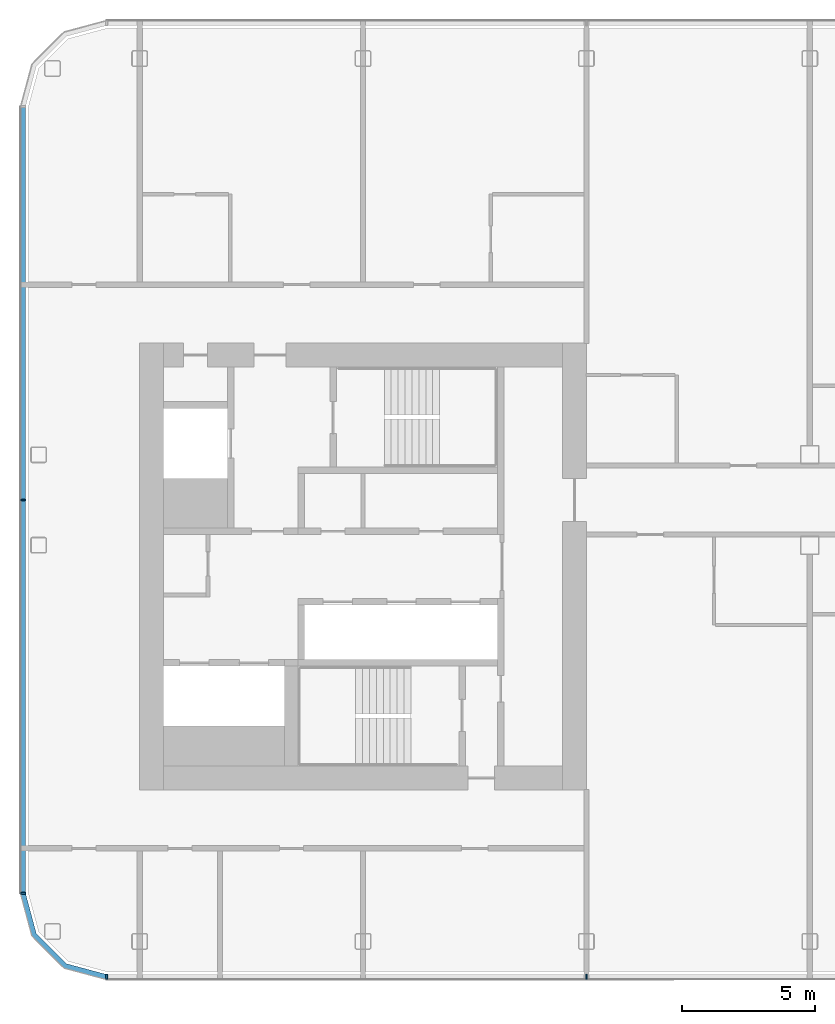
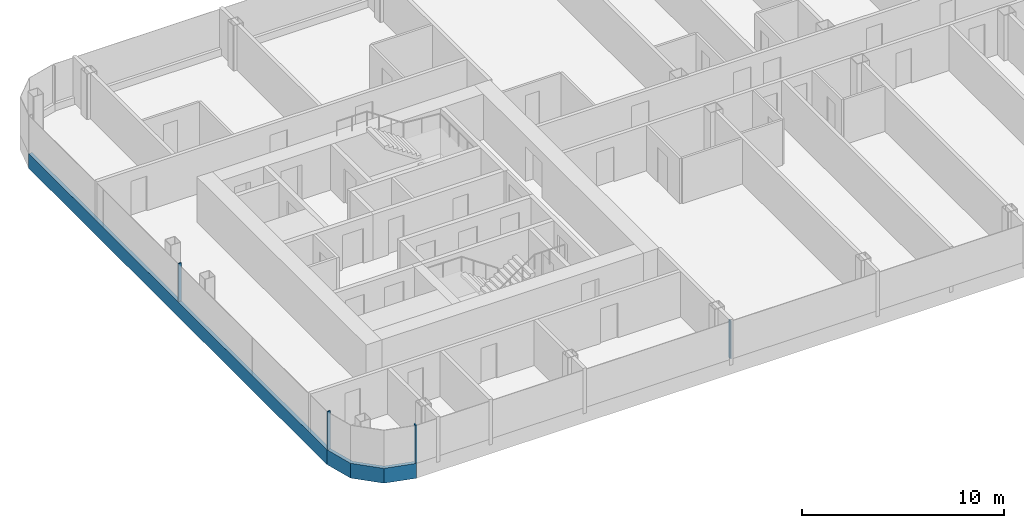
# One storey, part 2 of 26: 6 members, 3 elements without a shape of their own.
"""IFC4 building model written with IfcOpenShell, lengths in metres."""

import ifcopenshell
import ifcopenshell.guid

model = None  # the IFC model being written
_history = None  # IfcOwnerHistory: only IFC2X3 demands one
_inside = {}  # id of a spatial element -> (the spatial element, [elements in it])
_under = {}  # id of a project, library or spatial element -> (it, [spatial elements below it])
_declared = {}  # id of a project -> (the project, [libraries it declares])
_typed = {}  # id of a type object -> (the type object, [elements of that type])
_made_of = {}  # id of a material, layer set ... -> (it, [elements and type objects made of it])


def new_model(schema):
    """Start an empty IFC model of exactly this schema.

    Asked for "IFC4X3", IfcOpenShell would pick the latest addendum, in which some entities
    have other attributes; the version numbers below select the first issue.
    IFC2X3 requires an IfcOwnerHistory on every rooted entity: one is made here for all.
    """
    global model, _history
    if schema == "IFC4X3":
        model = ifcopenshell.file(schema_version=(4, 3, 0, 0))
    else:
        model = ifcopenshell.file(schema=schema)
    _inside.clear()
    _under.clear()
    _declared.clear()
    _typed.clear()
    _made_of.clear()
    _history = None
    if model.schema == "IFC2X3":
        org = make("IfcOrganization", Name="unknown")
        user = make(
            "IfcPersonAndOrganization",
            ThePerson=make("IfcPerson", FamilyName="unknown"),
            TheOrganization=org,
        )
        app = make(
            "IfcApplication",
            ApplicationDeveloper=org,
            Version="unknown",
            ApplicationFullName="unknown",
            ApplicationIdentifier="unknown",
        )
        _history = make(
            "IfcOwnerHistory",
            OwningUser=user,
            OwningApplication=app,
            ChangeAction="ADDED",
            CreationDate=0,
        )
    return model


def make(cls, **values):
    """One entity of the class cls with the attributes given. An attribute that is None is left unset."""
    return model.create_entity(
        cls, **{name: value for name, value in values.items() if value is not None}
    )


def rooted(cls, **values):
    """An entity with a GlobalId (a new one), such as an element, a storey or a relation."""
    return make(cls, GlobalId=ifcopenshell.guid.new(), OwnerHistory=_history, **values)


def si_unit(unit_type, name, prefix=None):
    """IfcSIUnit, for example si_unit("LENGTHUNIT", "METRE", prefix="MILLI")."""
    return make("IfcSIUnit", UnitType=unit_type, Prefix=prefix, Name=name)


def assignment(units):
    """IfcUnitAssignment: the units of a project."""
    return None if units is None else make("IfcUnitAssignment", Units=units)


def point(xyz):
    """IfcCartesianPoint."""
    return None if xyz is None else make("IfcCartesianPoint", Coordinates=xyz)


def direction(xyz):
    """IfcDirection."""
    return None if xyz is None else make("IfcDirection", DirectionRatios=xyz)


def frame(location, z_axis=None, x_axis=None):
    """IfcAxis2Placement3D, a coordinate frame: its origin and axes. An axis left out is left unset."""
    return make(
        "IfcAxis2Placement3D",
        Location=point(location),
        Axis=direction(z_axis),
        RefDirection=direction(x_axis),
    )


def frame_2d(location, x_axis=None):
    """IfcAxis2Placement2D, a coordinate frame in the plane: its origin and x axis."""
    return make(
        "IfcAxis2Placement2D", Location=point(location), RefDirection=direction(x_axis)
    )


def origin():
    """The frame at (0, 0, 0) with its axes left unset."""
    return frame((0.0, 0.0, 0.0))


def origin_2d():
    """The frame at (0, 0) in the plane with its x axis left unset."""
    return frame_2d((0.0, 0.0))


def place(relative_to, where):
    """IfcLocalPlacement: puts the frame where relative to a parent placement (None: the world)."""
    return make(
        "IfcLocalPlacement", PlacementRelTo=relative_to, RelativePlacement=where
    )


def context(
    kind, dimensions, precision=None, world=None, true_north=None, identifier=None
):
    """IfcGeometricRepresentationContext, for example the 3D "Model" context."""
    return make(
        "IfcGeometricRepresentationContext",
        ContextIdentifier=identifier,
        ContextType=kind,
        CoordinateSpaceDimension=dimensions,
        Precision=precision,
        WorldCoordinateSystem=world,
        TrueNorth=true_north,
    )


def subcontext(parent, identifier, kind, view, scale=None):
    """IfcGeometricRepresentationSubContext, for example "Body" below "Model"."""
    return make(
        "IfcGeometricRepresentationSubContext",
        ContextIdentifier=identifier,
        ContextType=kind,
        ParentContext=parent,
        TargetScale=scale,
        TargetView=view,
    )


def project(units=None, contexts=None):
    """IfcProject with its units and contexts."""
    return rooted(
        "IfcProject",
        Name="project",
        RepresentationContexts=contexts,
        UnitsInContext=assignment(units),
    )


def spatial(cls, under=None, at=None, **own):
    """A site, building, storey or space (cls), placed at a placement, below another one or the project."""
    s = rooted(cls, ObjectPlacement=at, **own)
    if under is not None:
        _under.setdefault(under.id(), (under, []))[1].append(s)
    return s


def polyline(points):
    """IfcPolyline through the points."""
    return make("IfcPolyline", Points=[point(p) for p in points])


def profile(cls, at=None, kind="AREA", **sizes):
    """A parametric profile (cls). Its sizes go by their IFC names, for example OverallWidth=200.0."""
    return make(cls, ProfileType=kind, Position=at, **sizes)


def rectangle(**sizes):
    """IfcRectangleProfileDef."""
    return profile("IfcRectangleProfileDef", **sizes)


def outline(outer, holes=None, kind="AREA"):
    """IfcArbitraryClosedProfileDef: a profile drawn as a closed curve; with holes, ...WithVoids."""
    if holes is None:
        return make("IfcArbitraryClosedProfileDef", ProfileType=kind, OuterCurve=outer)
    return make(
        "IfcArbitraryProfileDefWithVoids",
        ProfileType=kind,
        OuterCurve=outer,
        InnerCurves=holes,
    )


def extrude(swept, where, along, depth):
    """IfcExtrudedAreaSolid: the profile swept, set in the frame where, extruded along a direction by depth."""
    return make(
        "IfcExtrudedAreaSolid",
        SweptArea=swept,
        Position=where,
        ExtrudedDirection=direction(along),
        Depth=depth,
    )


def shape(context_of_items, identifier, shape_type, items):
    """IfcShapeRepresentation: the items that make up one representation, for example the "Body"."""
    return make(
        "IfcShapeRepresentation",
        ContextOfItems=context_of_items,
        RepresentationIdentifier=identifier,
        RepresentationType=shape_type,
        Items=items,
    )


def material(Name=None, Category=None):
    """IfcMaterial."""
    return make("IfcMaterial", Name=Name, Category=Category)


def layer(
    of_material, thickness, ventilated=None, Name=None, Category=None, Priority=None
):
    """IfcMaterialLayer: one layer of a wall or slab, of a material (None: an air gap)."""
    return make(
        "IfcMaterialLayer",
        Material=of_material,
        LayerThickness=thickness,
        IsVentilated=ventilated,
        Name=Name,
        Category=Category,
        Priority=Priority,
    )


def layer_set(layers, Name=None):
    """IfcMaterialLayerSet."""
    return make("IfcMaterialLayerSet", MaterialLayers=layers, LayerSetName=Name)


def material_profile(
    of_material, cross_section, Name=None, Category=None, Priority=None
):
    """IfcMaterialProfile: a cross section and its material."""
    return make(
        "IfcMaterialProfile",
        Name=Name,
        Material=of_material,
        Profile=cross_section,
        Priority=Priority,
        Category=Category,
    )


def profile_set(profiles, Name=None, composite=None):
    """IfcMaterialProfileSet."""
    return make(
        "IfcMaterialProfileSet",
        Name=Name,
        MaterialProfiles=profiles,
        CompositeProfile=composite,
    )


def made_of(thing, what):
    """Note that an element or type object is made of a material, layer set ...; save() writes the relation."""
    if what is not None:
        _made_of.setdefault(what.id(), (what, []))[1].append(thing)
    return thing


def type_object(cls, material=None, **own):
    """A type object (cls), such as IfcWallType, which elements share."""
    return made_of(rooted(cls, **own), material)


def element(
    cls,
    number,
    at=None,
    inside=None,
    cuts=None,
    type_object=None,
    material=None,
    context=None,
    identifier="Body",
    shape_type=None,
    held_by="IfcProductDefinitionShape",
    body=None,
    shapes=None,
    **own,
):
    """One element of the class cls, such as IfcWall. Its Tag is "e" and its number.

    at: its placement. inside: the storey or other place that contains it. cuts: it is an
    opening in that element (IfcRelVoidsElement). A single representation is given by context,
    identifier, shape_type and body (its items); several are given by shapes. held_by: the class
    of the entity that holds the representations. save() writes the other relations.
    """
    e = rooted(cls, Tag="e%d" % number, ObjectPlacement=at, **own)
    if body is not None:
        shapes = [shape(context, identifier, shape_type, body)]
    if shapes is not None:
        e.Representation = make(held_by, Representations=shapes)
    if inside is not None:
        _inside.setdefault(inside.id(), (inside, []))[1].append(e)
    if cuts is not None:
        rooted(
            "IfcRelVoidsElement", RelatingBuildingElement=cuts, RelatedOpeningElement=e
        )
    if type_object is not None:
        _typed.setdefault(type_object.id(), (type_object, []))[1].append(e)
    return made_of(e, material)


def aggregate(whole, parts):
    """IfcRelAggregates: a whole, such as a stair, and the parts it consists of."""
    return rooted("IfcRelAggregates", RelatingObject=whole, RelatedObjects=parts)


def save(model, path):
    """Write the relations noted so far, then the file.

    IfcRelAggregates (storeys below a building ...), IfcRelContainedInSpatialStructure (elements
    in a storey), IfcRelDefinesByType, IfcRelAssociatesMaterial and IfcRelDeclares: one each for
    every whole, place, type object, material and project.
    """
    for whole, parts in _under.values():
        aggregate(whole, parts)
    for where, things in _inside.values():
        rooted(
            "IfcRelContainedInSpatialStructure",
            RelatedElements=things,
            RelatingStructure=where,
        )
    for kind, things in _typed.values():
        rooted("IfcRelDefinesByType", RelatedObjects=things, RelatingType=kind)
    for what, things in _made_of.values():
        rooted("IfcRelAssociatesMaterial", RelatedObjects=things, RelatingMaterial=what)
    for by, libraries in _declared.values():
        rooted("IfcRelDeclares", RelatingContext=by, RelatedDefinitions=libraries)
    model.write(path)


model = new_model("IFC4")

# Units and contexts
model_context = context("Model", 3, precision=1e-05, world=origin(), true_north=direction((0.0, 1.0)))
body_context = subcontext(model_context, "Body", "Model", "MODEL_VIEW")
ifc_project = project(units=[si_unit("LENGTHUNIT", "METRE"), si_unit("AREAUNIT", "SQUARE_METRE"), si_unit("VOLUMEUNIT", "CUBIC_METRE"), si_unit("PLANEANGLEUNIT", "RADIAN"), si_unit("MASSUNIT", "GRAM", prefix="KILO")], contexts=[model_context])

# Site, building, storey
site_placement = place(None, origin())
site = spatial("IfcSite", under=ifc_project, at=site_placement, CompositionType="ELEMENT")
building_placement = place(site_placement, origin())
building = spatial("IfcBuilding", under=site, at=building_placement, Name="Hakoniwa Tower and Hamabe Station Hall", CompositionType="ELEMENT")
storey_placement = place(building_placement, frame((0.0, 0.0, 209.0)))
storey = spatial("IfcBuildingStorey", under=building, at=storey_placement, Name="L59", CompositionType="ELEMENT", Elevation=209.0)

# Curtain wall, member
ifc_material_1 = material(Name="Dark low-e laminated glass", Category="glass")
ifc_layer = layer(ifc_material_1, 0.199951171875)
ifc_layer_set = layer_set([ifc_layer], Name="CW-1 UNITISED GUEST")
curtain_wall_type = type_object("IfcCurtainWallType", Name="CW-1 UNITISED GUEST", PredefinedType="NOTDEFINED", material=ifc_layer_set)
curtain_wall_1_placement = place(storey_placement, origin())
curtain_wall_1 = element("IfcCurtainWall", 1, at=curtain_wall_1_placement, inside=storey, type_object=curtain_wall_type, Name="CW-1 curtain wall", PredefinedType="NOTDEFINED")
ifc_material_2 = material(Name="Aluminium 6063-T5 black anodised", Category="aluminium")
ifc_material_profile_1 = material_profile(ifc_material_2, rectangle(XDim=0.199951171875, YDim=0.89990234375, at=origin_2d()), Name="CW SLAB-EDGE BAND 900X200")
ifc_profile_set_1 = profile_set([ifc_material_profile_1], Name="Aluminium 6063-T5 black anodised")
member_type_1 = type_object("IfcMemberType", Name="CW SLAB-EDGE BAND 900X200", PredefinedType="USERDEFINED", material=ifc_profile_set_1)
member_1_placement = place(storey_placement, frame((-38.0, 17.28955078125, -0.10009765625), z_axis=(0.0, -1.0, 0.0), x_axis=(1.0, 0.0, 0.0)))
member_1 = element("IfcMember", 2, at=member_1_placement, type_object=member_type_1, Name="CW-1 transom", ObjectType="TRANSOM", PredefinedType="USERDEFINED", context=body_context, shape_type="SweptSolid", body=[
    extrude(rectangle(XDim=0.199951171875, YDim=0.89990234375, at=origin_2d()), origin(), (0.0, 0.0, 1.0), 29.5791015625),
])

curtain_wall_2_placement = place(storey_placement, origin())
curtain_wall_2 = element("IfcCurtainWall", 3, at=curtain_wall_2_placement, inside=storey, type_object=curtain_wall_type, Name="CW-1 curtain wall", PredefinedType="NOTDEFINED")
member_2_placement = place(storey_placement, frame((0.0, 0.0, -0.550048828125)))
member_2 = element("IfcMember", 4, at=member_2_placement, type_object=member_type_1, Name="CW-1 transom", ObjectType="TRANSOM", PredefinedType="USERDEFINED", context=body_context, shape_type="SweptSolid", body=[
    extrude(outline(polyline([(-38.10009765625, -12.28955078125), (-37.6669921875, -13.9052734375), (-36.455322265625, -15.116943359375), (-34.839599609375, -15.550048828125), (-34.787841796875, -15.35693359375), (-36.351806640625, -14.937744140625), (-37.48779296875, -13.8017578125), (-37.90673828125, -12.23779296875), (-38.10009765625, -12.28955078125)])), origin(), (0.0, 0.0, 1.0), 0.900146484375),
])
aggregate(curtain_wall_2, [member_2])

# Member
ifc_material_3 = material(Name="Aluminium 6063-T5 black anodised", Category="aluminium")
ifc_material_profile_2 = material_profile(ifc_material_3, rectangle(XDim=0.06005859375, YDim=0.179931640625, at=origin_2d()), Name="CW-1 MULLION 60X180")
ifc_profile_set_2 = profile_set([ifc_material_profile_2], Name="Aluminium 6063-T5 black anodised")
member_type_2 = type_object("IfcMemberType", Name="CW-1 MULLION 60X180", PredefinedType="MULLION", material=ifc_profile_set_2)
member_3_placement = place(storey_placement, frame((-37.98193359375, 2.5, 0.35009765625), z_axis=(0.0, 0.0, 1.0), x_axis=(0.0, -1.0, 0.0)))
member_3 = element("IfcMember", 5, at=member_3_placement, type_object=member_type_2, Name="CW-1 mullion", PredefinedType="MULLION", context=body_context, shape_type="SweptSolid", body=[
    extrude(rectangle(XDim=0.06005859375, YDim=0.179931640625, at=origin_2d()), origin(), (0.0, 0.0, 1.0), 2.2998046875),
])

member_4_placement = place(storey_placement, frame((-37.98193359375, -12.28955078125, 0.35009765625), z_axis=(0.0, 0.0, 1.0), x_axis=(0.0, -1.0, 0.0)))
member_4 = element("IfcMember", 6, at=member_4_placement, type_object=member_type_2, Name="CW-1 mullion", PredefinedType="MULLION", context=body_context, shape_type="SweptSolid", body=[
    extrude(rectangle(XDim=0.06005859375, YDim=0.179931640625, at=origin_2d()), origin(), (0.0, 0.0, 1.0), 2.2998046875),
])

aggregate(curtain_wall_1, [member_3, member_4, member_1])

# Curtain wall, members
curtain_wall_3_placement = place(storey_placement, origin())
curtain_wall_3 = element("IfcCurtainWall", 7, at=curtain_wall_3_placement, inside=storey, type_object=curtain_wall_type, Name="CW-1 curtain wall", PredefinedType="NOTDEFINED")
member_5_placement = place(storey_placement, frame((-34.839599609375, -15.431884765625, 0.35009765625), z_axis=(0.0, 0.0, 1.0), x_axis=(1.0, 0.0, 0.0)))
member_5 = element("IfcMember", 8, at=member_5_placement, type_object=member_type_2, Name="CW-1 mullion", PredefinedType="MULLION", context=body_context, shape_type="SweptSolid", body=[
    extrude(rectangle(XDim=0.06005859375, YDim=0.179931640625, at=origin_2d()), origin(), (0.0, 0.0, 1.0), 2.2998046875),
])
member_6_placement = place(storey_placement, frame((-16.800048828125, -15.431884765625, 0.35009765625), z_axis=(0.0, 0.0, 1.0), x_axis=(1.0, 0.0, 0.0)))
member_6 = element("IfcMember", 9, at=member_6_placement, type_object=member_type_2, Name="CW-1 mullion", PredefinedType="MULLION", context=body_context, shape_type="SweptSolid", body=[
    extrude(rectangle(XDim=0.06005859375, YDim=0.179931640625, at=origin_2d()), origin(), (0.0, 0.0, 1.0), 2.2998046875),
])
aggregate(curtain_wall_3, [member_5, member_6])

save(model, "model.ifc")
